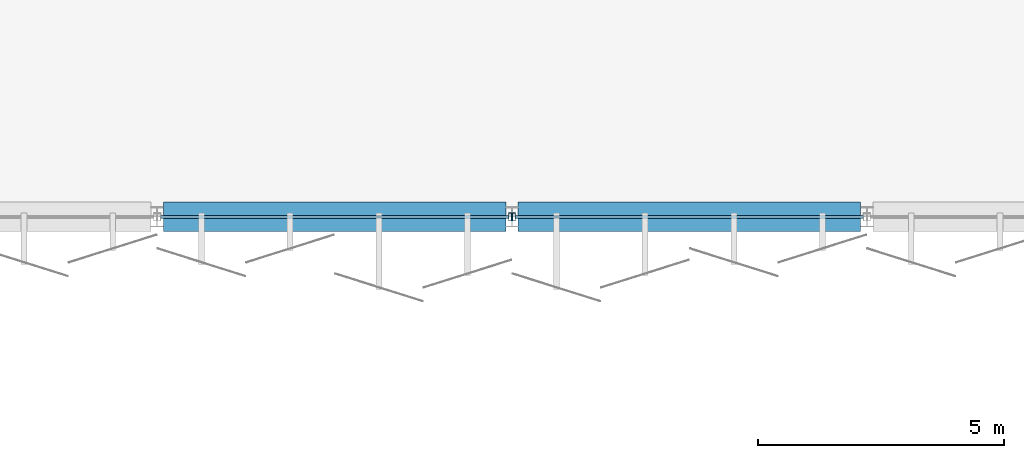
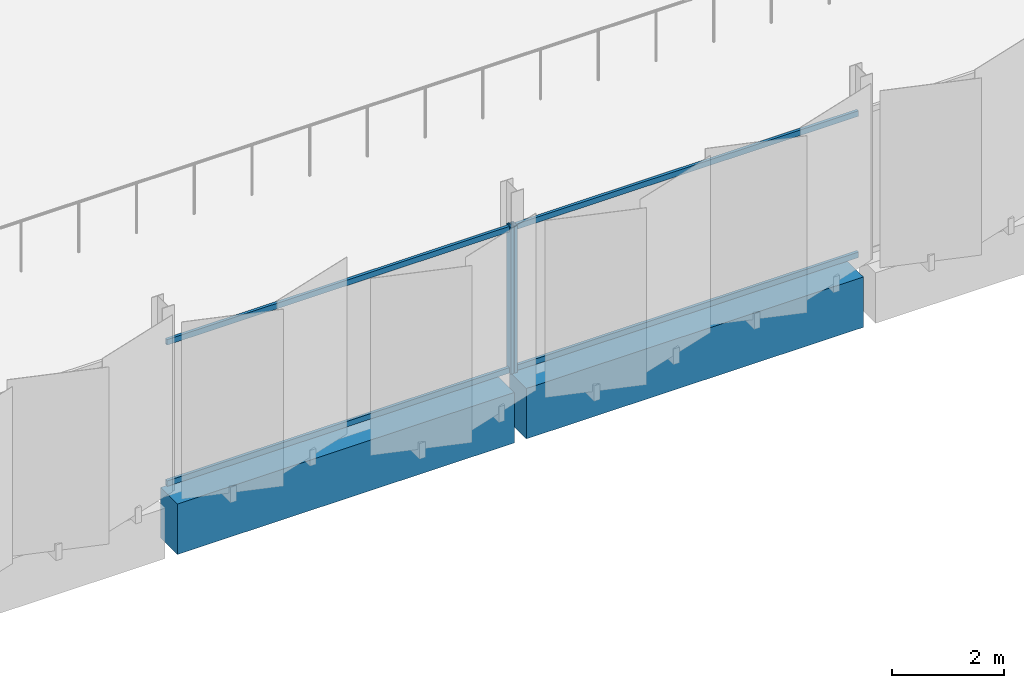
# One storey, part 41 of 107: 6 members, 2 beams, 2 elements without a shape of their own.
"""IFC4 building model written with IfcOpenShell, lengths in metres."""

from ifc_helpers import new_model, si_unit, direction, frame, origin, origin_2d, place, context, subcontext, project, spatial, rectangle, hollow_rectangle, extrude, material, layer, layer_set, material_profile, profile_set, type_object, element, aggregate, save


model = new_model("IFC4")

# Units and contexts
model_context = context("Model", 3, precision=1e-05, world=origin(), true_north=direction((0.0, 1.0)))
body_context = subcontext(model_context, "Body", "Model", "MODEL_VIEW")
ifc_project = project(units=[si_unit("LENGTHUNIT", "METRE"), si_unit("AREAUNIT", "SQUARE_METRE"), si_unit("VOLUMEUNIT", "CUBIC_METRE"), si_unit("PLANEANGLEUNIT", "RADIAN"), si_unit("MASSUNIT", "GRAM", prefix="KILO")], contexts=[model_context])

# Site, building, storey
site_placement = place(None, origin())
site = spatial("IfcSite", under=ifc_project, at=site_placement, CompositionType="ELEMENT")
building_placement = place(site_placement, origin())
building = spatial("IfcBuilding", under=site, at=building_placement, Name="Kangsadwip Square Police Headquarters", CompositionType="ELEMENT")
storey_placement = place(building_placement, frame((0.0, 0.0, 5.39990234375)))
storey = spatial("IfcBuildingStorey", under=building, at=storey_placement, Name="L01", CompositionType="ELEMENT", Elevation=5.39990234375)

# Curtain wall, member
ifc_material_1 = material(Name="Thermally broken anodised aluminium AW-6063-T6", Category="aluminium")
ifc_layer = layer(ifc_material_1, 0.159912109375)
ifc_layer_set = layer_set([ifc_layer], Name="Thermally broken anodised aluminium AW-6063-T6")
curtain_wall_type = type_object("IfcCurtainWallType", Name="CourtScreen7180x3200", PredefinedType="USERDEFINED", material=ifc_layer_set)
curtain_wall_1_placement = place(storey_placement, origin())
curtain_wall_1 = element("IfcCurtainWall", 1, at=curtain_wall_1_placement, inside=storey, type_object=curtain_wall_type, Name="Curtain Wall CW-L01-0720-0864", ObjectType="GLAZED_SCREEN", PredefinedType="USERDEFINED")
ifc_material_2 = material(Name="Thermally broken anodised aluminium AW-6063-T6", Category="aluminium")
ifc_material_profile_1 = material_profile(ifc_material_2, hollow_rectangle(XDim=0.06005859375, YDim=0.159912109375, WallThickness=0.00390625, at=origin_2d()), Name="CWM 160X60X4")
ifc_profile_set_1 = profile_set([ifc_material_profile_1], Name="Thermally broken anodised aluminium AW-6063-T6")
member_type_1 = type_object("IfcMemberType", Name="CwMullion135x60", PredefinedType="MULLION", material=ifc_profile_set_1)
member_1_placement = place(storey_placement, frame((79.159912109375, 86.39990234375, 0.0), z_axis=(0.0, 0.0, 1.0), x_axis=(1.0, 0.0, 0.0)))
member_1 = element("IfcMember", 2, at=member_1_placement, type_object=member_type_1, Name="CW-17 mullion 2", PredefinedType="MULLION", context=body_context, shape_type="SweptSolid", body=[
    extrude(hollow_rectangle(XDim=0.06005859375, YDim=0.159912109375, WallThickness=0.00390625, at=origin_2d()), origin(), (0.0, 0.0, 1.0), 3.2001953125),
])

curtain_wall_2_placement = place(storey_placement, origin())
curtain_wall_2 = element("IfcCurtainWall", 3, at=curtain_wall_2_placement, inside=storey, type_object=curtain_wall_type, Name="Curtain Wall CW-L01-0792-0864", ObjectType="GLAZED_SCREEN", PredefinedType="USERDEFINED")
member_2_placement = place(storey_placement, frame((79.239990234375, 86.39990234375, 0.0), z_axis=(0.0, 0.0, 1.0), x_axis=(1.0, 0.0, 0.0)))
member_2 = element("IfcMember", 4, at=member_2_placement, type_object=member_type_1, Name="CW-17 mullion 1", PredefinedType="MULLION", context=body_context, shape_type="SweptSolid", body=[
    extrude(hollow_rectangle(XDim=0.06005859375, YDim=0.159912109375, WallThickness=0.00390625, at=origin_2d()), origin(), (0.0, 0.0, 1.0), 3.2001953125),
])

# Member
ifc_material_3 = material(Name="Thermally broken anodised aluminium AW-6063-T6", Category="aluminium")
ifc_material_profile_2 = material_profile(ifc_material_3, hollow_rectangle(XDim=0.06005859375, YDim=0.1201171875, WallThickness=0.00390625, at=origin_2d()), Name="CWT 120X60X4")
ifc_profile_set_2 = profile_set([ifc_material_profile_2], Name="Thermally broken anodised aluminium AW-6063-T6")
member_type_2 = type_object("IfcMemberType", Name="CwTransom120x55", PredefinedType="USERDEFINED", material=ifc_profile_set_2)
member_3_placement = place(storey_placement, frame((72.070068359375, 86.39990234375, 0.06005859375), z_axis=(1.0, 0.0, 0.0), x_axis=(0.0, 1.0, 0.0)))
member_3 = element("IfcMember", 5, at=member_3_placement, type_object=member_type_2, Name="CW-17 transom 1.1", ObjectType="TRANSOM", PredefinedType="USERDEFINED", context=body_context, shape_type="SweptSolid", body=[
    extrude(hollow_rectangle(XDim=0.06005859375, YDim=0.1201171875, WallThickness=0.00390625, at=origin_2d()), origin(), (0.0, 0.0, 1.0), 7.059814453125),
])

member_4_placement = place(storey_placement, frame((72.070068359375, 86.39990234375, 3.14013671875), z_axis=(1.0, 0.0, 0.0), x_axis=(0.0, 1.0, 0.0)))
member_4 = element("IfcMember", 6, at=member_4_placement, type_object=member_type_2, Name="CW-17 transom 1.2", ObjectType="TRANSOM", PredefinedType="USERDEFINED", context=body_context, shape_type="SweptSolid", body=[
    extrude(hollow_rectangle(XDim=0.06005859375, YDim=0.1201171875, WallThickness=0.00390625, at=origin_2d()), origin(), (0.0, 0.0, 1.0), 7.059814453125),
])

aggregate(curtain_wall_1, [member_1, member_3, member_4])

member_5_placement = place(storey_placement, frame((79.27001953125, 86.39990234375, 0.06005859375), z_axis=(1.0, 0.0, 0.0), x_axis=(0.0, 1.0, 0.0)))
member_5 = element("IfcMember", 7, at=member_5_placement, type_object=member_type_2, Name="CW-17 transom 1.1", ObjectType="TRANSOM", PredefinedType="USERDEFINED", context=body_context, shape_type="SweptSolid", body=[
    extrude(hollow_rectangle(XDim=0.06005859375, YDim=0.1201171875, WallThickness=0.00390625, at=origin_2d()), origin(), (0.0, 0.0, 1.0), 7.06005859375),
])

member_6_placement = place(storey_placement, frame((79.27001953125, 86.39990234375, 3.14013671875), z_axis=(1.0, 0.0, 0.0), x_axis=(0.0, 1.0, 0.0)))
member_6 = element("IfcMember", 8, at=member_6_placement, type_object=member_type_2, Name="CW-17 transom 1.2", ObjectType="TRANSOM", PredefinedType="USERDEFINED", context=body_context, shape_type="SweptSolid", body=[
    extrude(hollow_rectangle(XDim=0.06005859375, YDim=0.1201171875, WallThickness=0.00390625, at=origin_2d()), origin(), (0.0, 0.0, 1.0), 7.06005859375),
])

aggregate(curtain_wall_2, [member_2, member_5, member_6])

# Beams
ifc_material_4 = material(Name="Concrete M40 (40 MPa)", Category="concrete")
ifc_material_profile_3 = material_profile(ifc_material_4, rectangle(XDim=0.60009765625, YDim=1.10009765625, at=origin_2d()), Name="RC TG 1100X600")
ifc_profile_set_3 = profile_set([ifc_material_profile_3], Name="Concrete M40 (40 MPa)")
beam_type = type_object("IfcBeamType", Name="RcTransfer1100x600", PredefinedType="USERDEFINED", material=ifc_profile_set_3)
for number, where, z_axis, x_axis, name in (
    (9, (72.125, 86.39990234375, -0.789794921875), (1.0, 0.0, 0.0), (0.0, 1.0, 0.0), "Beam BM-L01-X-10-12"),
    (10, (79.324951171875, 86.39990234375, -0.789794921875), (1.0, 0.0, 0.0), (0.0, 1.0, 0.0), "Beam BM-L01-X-11-12"),
):
    element("IfcBeam", number, at=place(storey_placement, frame(where, z_axis=z_axis, x_axis=x_axis)), inside=storey, type_object=beam_type, Name=name, ObjectType="TRANSFER_GIRDER", PredefinedType="USERDEFINED", context=body_context, shape_type="SweptSolid", body=[
        extrude(rectangle(XDim=0.60009765625, YDim=1.10009765625, at=origin_2d()), origin(), (0.0, 0.0, 1.0), 6.949951171875),
    ])

save(model, "model.ifc")
